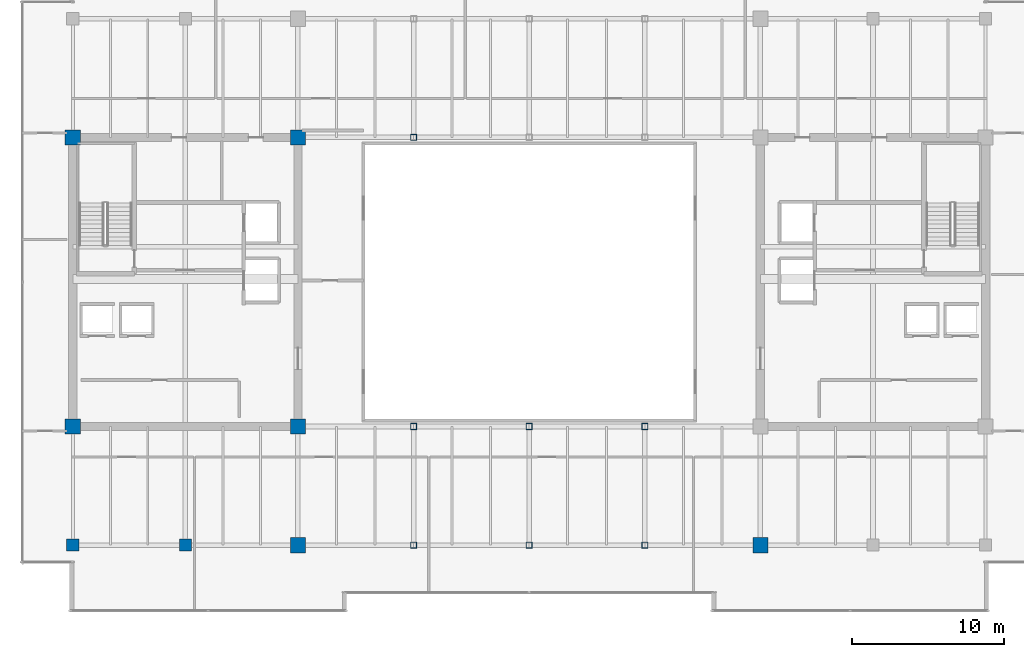
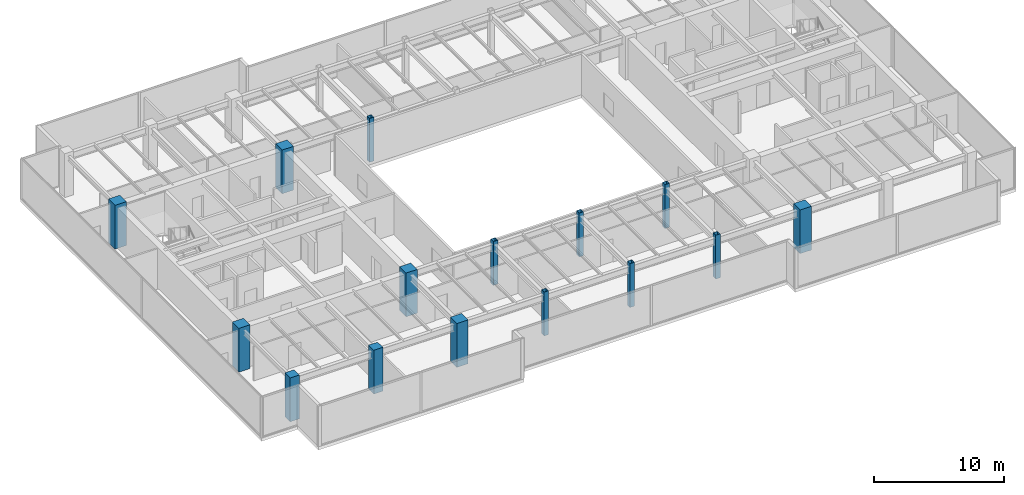
# One storey, part 1 of 33: 15 columns.
"""IFC4 building model written with IfcOpenShell, lengths in metres."""

from ifc_helpers import new_model, si_unit, direction, frame, origin, origin_2d, place, context, subcontext, project, spatial, rectangle, hollow_rectangle, extrude, source, transform, mapped, material, material_profile, profile_set, type_object, type_shapes, element, save


model = new_model("IFC4")

# Units and contexts
model_context = context("Model", 3, precision=1e-05, world=origin(), true_north=direction((0.0, 1.0)))
body_context = subcontext(model_context, "Body", "Model", "MODEL_VIEW")
ifc_project = project(units=[si_unit("LENGTHUNIT", "METRE"), si_unit("AREAUNIT", "SQUARE_METRE"), si_unit("VOLUMEUNIT", "CUBIC_METRE"), si_unit("PLANEANGLEUNIT", "RADIAN"), si_unit("MASSUNIT", "GRAM", prefix="KILO")], contexts=[model_context])

# Site, building, storey
site_placement = place(None, origin())
site = spatial("IfcSite", under=ifc_project, at=site_placement, CompositionType="ELEMENT")
building_placement = place(site_placement, origin())
building = spatial("IfcBuilding", under=site, at=building_placement, Name="Haelvirn Gate Laboratories", CompositionType="ELEMENT")
storey_placement = place(building_placement, frame((0.0, 0.0, 250.60009765625)))
storey = spatial("IfcBuildingStorey", under=building, at=storey_placement, Name="L60", CompositionType="ELEMENT", Elevation=250.60009765625)

# Columns
ifc_material_1 = material(Name="Concrete C60/75", Category="concrete")
ifc_material_profile_1 = material_profile(ifc_material_1, rectangle(XDim=1.0, YDim=1.0, at=origin_2d()), Name="RC-1000x1000")
ifc_profile_set_1 = profile_set([ifc_material_profile_1], Name="Concrete C60/75")
column_type_1 = type_object("IfcColumnType", Name="COL-RC-1000", PredefinedType="COLUMN", material=ifc_profile_set_1)
shared_shape_1 = source(origin(), body_context, "Body", "SweptSolid", [
    extrude(rectangle(XDim=1.0, YDim=1.0, at=origin_2d()), origin(), (0.0, 0.0, 1.0), 4.099853515625),
])
type_shapes(column_type_1, [shared_shape_1])
for number, where, z_axis, x_axis, name in (
    (1, (22.199951171875, 7.0, 0.0), (0.0, 0.0, 1.0), (1.0, 0.0, 0.0), "L60 Column 4B"),
    (2, (7.39990234375, 14.800048828125, 0.0), (0.0, 0.0, 1.0), (1.0, 0.0, 0.0), "L60 Column 2C"),
    (3, (22.199951171875, 14.800048828125, 0.0), (0.0, 0.0, 1.0), (1.0, 0.0, 0.0), "L60 Column 4C"),
    (4, (7.39990234375, 33.800048828125, 0.0), (0.0, 0.0, 1.0), (1.0, 0.0, 0.0), "L60 Column 2F"),
    (5, (22.199951171875, 33.800048828125, 0.0), (0.0, 0.0, 1.0), (1.0, 0.0, 0.0), "L60 Column 4F"),
    (6, (52.60009765625, 7.0, 0.0), (0.0, 0.0, 1.0), (1.0, 0.0, 0.0), "L60 Column 8B"),
):
    element("IfcColumn", number, at=place(storey_placement, frame(where, z_axis=z_axis, x_axis=x_axis)), inside=storey, type_object=column_type_1, Name=name, PredefinedType="COLUMN", context=body_context, shape_type="MappedRepresentation", body=[
        mapped(shared_shape_1, transform((0.0, 0.0, 0.0), scale=1.0)),
    ])
ifc_material_2 = material(Name="Concrete C50/60", Category="concrete")
ifc_material_profile_2 = material_profile(ifc_material_2, rectangle(XDim=0.800048828125, YDim=0.800048828125, at=origin_2d()), Name="RC-800x800")
ifc_profile_set_2 = profile_set([ifc_material_profile_2], Name="Concrete C50/60")
column_type_2 = type_object("IfcColumnType", Name="COL-RC-800", PredefinedType="COLUMN", material=ifc_profile_set_2)
shared_shape_2 = source(origin(), body_context, "Body", "SweptSolid", [
    extrude(rectangle(XDim=0.800048828125, YDim=0.800048828125, at=origin_2d()), origin(), (0.0, 0.0, 1.0), 4.099853515625),
])
type_shapes(column_type_2, [shared_shape_2])
for number, where, z_axis, x_axis, name in (
    (7, (14.800048828125, 7.0, 0.0), (0.0, 0.0, 1.0), (1.0, 0.0, 0.0), "L60 Column 3B"),
    (8, (7.39990234375, 7.0, 0.0), (0.0, 0.0, 1.0), (1.0, 0.0, 0.0), "L60 Column 2B"),
):
    element("IfcColumn", number, at=place(storey_placement, frame(where, z_axis=z_axis, x_axis=x_axis)), inside=storey, type_object=column_type_2, Name=name, PredefinedType="COLUMN", context=body_context, shape_type="MappedRepresentation", body=[
        mapped(shared_shape_2, transform((0.0, 0.0, 0.0), scale=1.0)),
    ])
ifc_material_3 = material(Name="Steel SM355", Category="steel")
ifc_material_profile_3 = material_profile(ifc_material_3, hollow_rectangle(XDim=0.39990234375, YDim=0.39990234375, WallThickness=0.01904296875, at=origin_2d()), Name="BOX-400x400x19")
ifc_profile_set_3 = profile_set([ifc_material_profile_3], Name="Steel SM355")
column_type_3 = type_object("IfcColumnType", Name="COL-BOX-400", PredefinedType="COLUMN", material=ifc_profile_set_3)
shared_shape_3 = source(origin(), body_context, "Body", "SweptSolid", [
    extrude(hollow_rectangle(XDim=0.39990234375, YDim=0.39990234375, WallThickness=0.01904296875, at=origin_2d()), origin(), (0.0, 0.0, 1.0), 4.099853515625),
])
type_shapes(column_type_3, [shared_shape_3])
for number, where, z_axis, x_axis, name in (
    (9, (29.800048828125, 7.0, 0.0), (0.0, 0.0, 1.0), (1.0, 0.0, 0.0), "L60 Column 5B"),
    (10, (29.800048828125, 14.800048828125, 0.0), (0.0, 0.0, 1.0), (1.0, 0.0, 0.0), "L60 Column 5C"),
    (11, (29.800048828125, 33.800048828125, 0.0), (0.0, 0.0, 1.0), (1.0, 0.0, 0.0), "L60 Column 5F"),
    (12, (37.39990234375, 7.0, 0.0), (0.0, 0.0, 1.0), (1.0, 0.0, 0.0), "L60 Column 6B"),
    (13, (37.39990234375, 14.800048828125, 0.0), (0.0, 0.0, 1.0), (1.0, 0.0, 0.0), "L60 Column 6C"),
    (14, (45.0, 7.0, 0.0), (0.0, 0.0, 1.0), (1.0, 0.0, 0.0), "L60 Column 7B"),
    (15, (45.0, 14.800048828125, 0.0), (0.0, 0.0, 1.0), (1.0, 0.0, 0.0), "L60 Column 7C"),
):
    element("IfcColumn", number, at=place(storey_placement, frame(where, z_axis=z_axis, x_axis=x_axis)), inside=storey, type_object=column_type_3, Name=name, PredefinedType="COLUMN", context=body_context, shape_type="MappedRepresentation", body=[
        mapped(shared_shape_3, transform((0.0, 0.0, 0.0), scale=1.0)),
    ])

save(model, "model.ifc")
